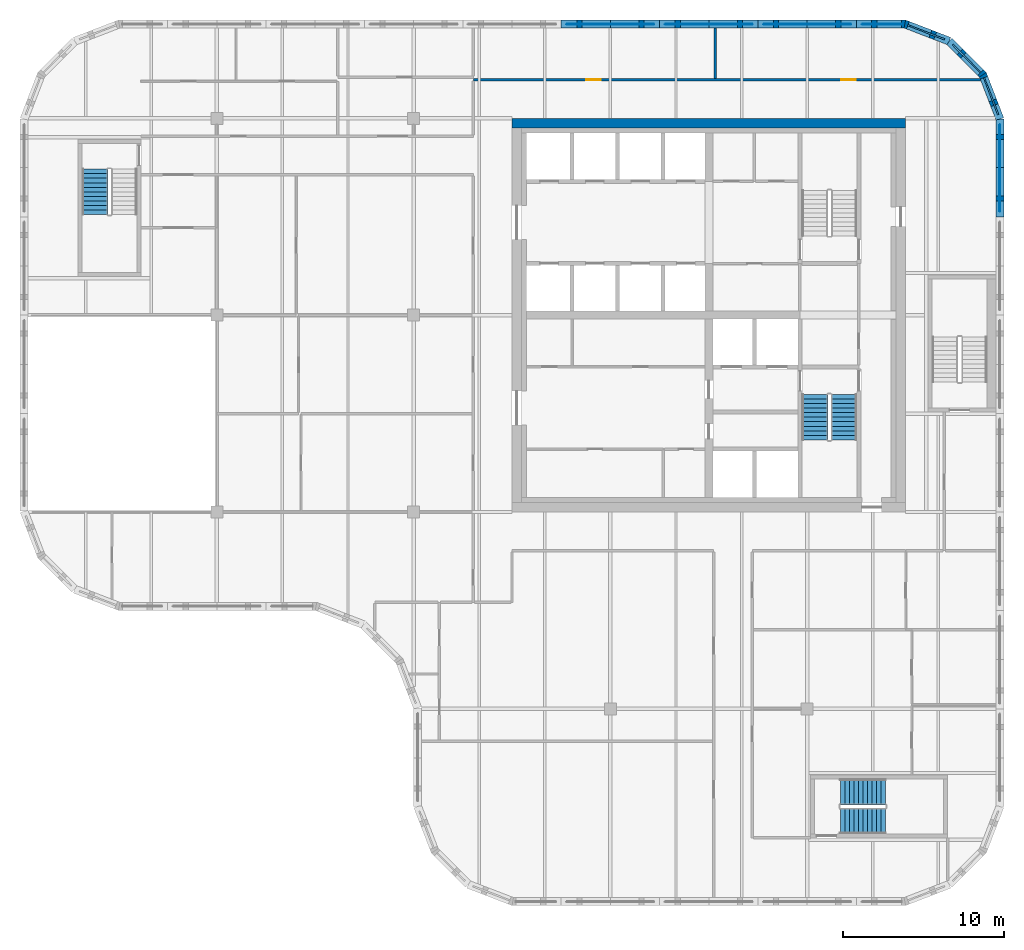
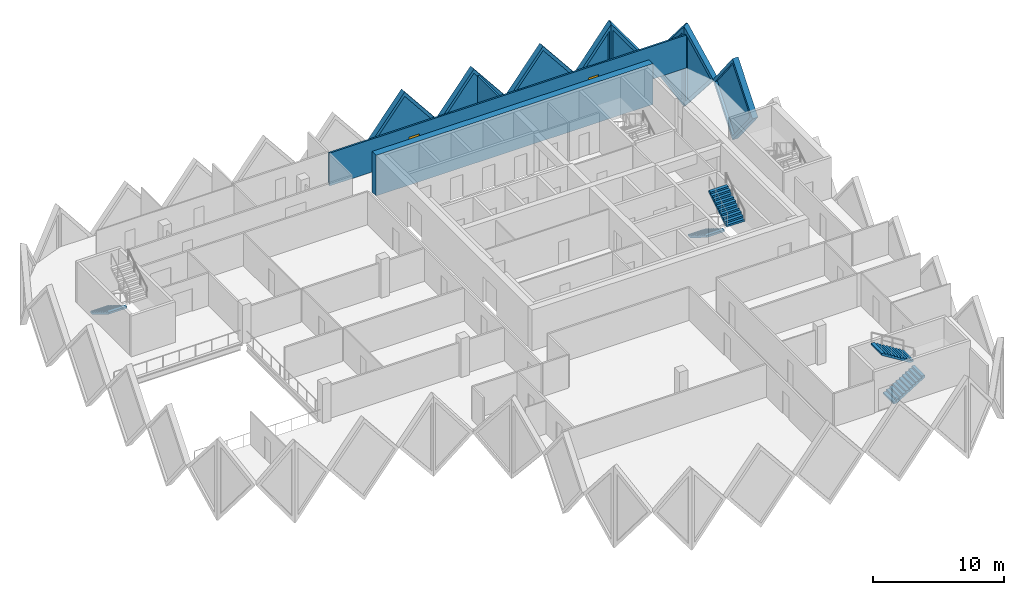
# One storey, part 10 of 12: 11 walls, 8 plates, 5 stair flights, 2 doors, 10 openings, 3 elements without a shape of their own.
"""IFC4 building model written with IfcOpenShell, lengths in metres."""

from ifc_helpers import new_model, si_unit, direction, frame, frame_2d, origin, place, context, subcontext, project, spatial, polyline, rectangle, outline, extrude, faceted_brep, source, transform, mapped, material, layer, layer_set, type_object, element, fill, aggregate, save


model = new_model("IFC4")

# Units and contexts
model_context = context("Model", 3, precision=1e-05, world=origin(), true_north=direction((0.0, 1.0)))
body_context = subcontext(model_context, "Body", "Model", "MODEL_VIEW")
ifc_project = project(units=[si_unit("LENGTHUNIT", "METRE"), si_unit("AREAUNIT", "SQUARE_METRE"), si_unit("VOLUMEUNIT", "CUBIC_METRE"), si_unit("PLANEANGLEUNIT", "RADIAN"), si_unit("MASSUNIT", "GRAM", prefix="KILO")], contexts=[model_context])

# Site, building, storey
site_placement = place(None, origin())
site = spatial("IfcSite", under=ifc_project, at=site_placement, CompositionType="ELEMENT")
building_placement = place(site_placement, origin())
building = spatial("IfcBuilding", under=site, at=building_placement, Name="Tessera Gate Towers", CompositionType="ELEMENT")
storey_placement = place(building_placement, frame((0.0, 0.0, 185.800048828125)))
storey = spatial("IfcBuildingStorey", under=building, at=storey_placement, Name="L46", CompositionType="ELEMENT", Elevation=185.800048828125)

# Wall
ifc_material_1 = material(Name="Concrete C50/60", Category="concrete")
ifc_layer_1 = layer(ifc_material_1, 0.60009765625)
ifc_layer_set_1 = layer_set([ifc_layer_1], Name="CORE SHEAR WALL 600 C50/60")
wall_type_1 = type_object("IfcWallType", Name="CORE SHEAR WALL 600 C50/60", PredefinedType="SHEAR", material=ifc_layer_set_1)
wall_1_placement = place(storey_placement, frame((30.5, 48.5, 0.0), z_axis=(0.0, 0.0, 1.0), x_axis=(1.0, 0.0, 0.0)))
element("IfcWall", 1, at=wall_1_placement, inside=storey, type_object=wall_type_1, Name="Core wall N L46", PredefinedType="SHEAR", context=body_context, shape_type="SweptSolid", body=[
    extrude(rectangle(XDim=24.39990234375, YDim=0.60009765625, at=frame_2d((12.199951171875, 0.0))), origin(), (0.0, 0.0, 1.0), 3.800048828125),
])

# Wall, openings, doors
ifc_material_2 = material(Name="Gypsum board on steel studs, mineral wool", Category="steel")
ifc_layer_2 = layer(ifc_material_2, 0.14990234375)
ifc_layer_set_2 = layer_set([ifc_layer_2], Name="CORRIDOR WALL 150")
wall_type_2 = type_object("IfcWallType", Name="CORRIDOR WALL 150", PredefinedType="PARTITIONING", material=ifc_layer_set_2)
wall_2_placement = place(storey_placement, frame((28.10009765625, 51.199951171875, 0.0), z_axis=(0.0, 0.0, 1.0), x_axis=(1.0, 0.0, 0.0)))
wall_2 = element("IfcWall", 2, at=wall_2_placement, inside=storey, type_object=wall_type_2, Name="T1-L46-PW-049", PredefinedType="PARTITIONING", context=body_context, shape_type="SweptSolid", body=[
    extrude(rectangle(XDim=31.438232421875, YDim=0.14990234375, at=frame_2d((15.71923828125, 0.0))), origin(), (0.0, 0.0, 1.0), 3.06689453125),
])
shared_shape_1 = source(origin(), body_context, "Body", "SweptSolid", [
    extrude(rectangle(XDim=0.89990234375, YDim=2.10009765625, at=frame_2d((0.449951171875, 1.050048828125))), frame((0.0, 0.0849609375, 0.0), z_axis=(0.0, -1.0, 0.0), x_axis=(1.0, 0.0, 0.0)), (0.0, 0.0, 1.0), 0.169921875),
])
opening_1_placement = place(wall_2_placement, frame((7.0, 0.0, 0.0)))
opening_1 = element("IfcOpeningElement", 3, at=opening_1_placement, cuts=wall_2, Name="Opening D890FD60-A17-08", PredefinedType="OPENING", context=body_context, shape_type="MappedRepresentation", body=[
    mapped(shared_shape_1, transform((0.0, 0.0, 0.0), scale=1.0)),
])
opening_2_placement = place(wall_2_placement, frame((22.800048828125, 0.0, 0.0)))
opening_2 = element("IfcOpeningElement", 4, at=opening_2_placement, cuts=wall_2, Name="Opening D890FD60-A17-09", PredefinedType="OPENING", context=body_context, shape_type="MappedRepresentation", body=[
    mapped(shared_shape_1, transform((0.0, 0.0, 0.0), scale=1.0)),
])
ifc_material_3 = material(Name="Timber door leaf in steel frame", Category="steel")
door_type = type_object("IfcDoorType", Name="CORRIDOR DOOR 900 FD60", OperationType="NOTDEFINED", PredefinedType="DOOR", material=ifc_material_3)
shared_shape_2 = source(origin(), body_context, "Body", "SweptSolid", [
    extrude(rectangle(XDim=0.89990234375, YDim=2.10009765625, at=frame_2d((0.449951171875, 1.050048828125))), frame((0.0, 0.02490234375, 0.0), z_axis=(0.0, -1.0, 0.0), x_axis=(1.0, 0.0, 0.0)), (0.0, 0.0, 1.0), 0.050048828125),
])
door_1_placement = place(opening_1_placement, origin())
door_1 = element("IfcDoor", 5, at=door_1_placement, inside=storey, type_object=door_type, Name="T1-L46-PD-026", OperationType="SINGLE_SWING_LEFT", OverallHeight=2.10009765625, OverallWidth=0.89990234375, PredefinedType="DOOR", context=body_context, shape_type="MappedRepresentation", body=[
    mapped(shared_shape_2, transform((0.0, 0.0, 0.0), scale=1.0)),
])
fill(opening_1, door_1)
door_2_placement = place(opening_2_placement, origin())
door_2 = element("IfcDoor", 6, at=door_2_placement, inside=storey, type_object=door_type, Name="T1-L46-PD-027", OperationType="SINGLE_SWING_LEFT", OverallHeight=2.10009765625, OverallWidth=0.89990234375, PredefinedType="DOOR", context=body_context, shape_type="MappedRepresentation", body=[
    mapped(shared_shape_2, transform((0.0, 0.0, 0.0), scale=1.0)),
])
fill(opening_2, door_2)

# Wall
ifc_material_4 = material(Name="Gypsum board on steel studs, mineral wool", Category="steel")
ifc_layer_3 = layer(ifc_material_4, 0.14990234375)
ifc_layer_set_3 = layer_set([ifc_layer_3], Name="TENANCY WALL 150")
wall_type_3 = type_object("IfcWallType", Name="TENANCY WALL 150", PredefinedType="PARTITIONING", material=ifc_layer_set_3)
wall_3_placement = place(storey_placement, frame((43.10009765625, 51.27587890625, 0.0), z_axis=(0.0, 0.0, 1.0), x_axis=(0.0, 1.0, 0.0)))
element("IfcWall", 7, at=wall_3_placement, inside=storey, type_object=wall_type_3, Name="T1-L46-PW-050", PredefinedType="PARTITIONING", context=body_context, shape_type="SweptSolid", body=[
    extrude(rectangle(XDim=3.1240234375, YDim=0.14990234375, at=frame_2d((1.56201171875, 0.0))), origin(), (0.0, 0.0, 1.0), 3.06689453125),
])

# Wall, opening, plate
ifc_material_5 = material(Name="Precast concrete C60/75 white", Category="concrete")
ifc_layer_4 = layer(ifc_material_5, 0.5)
ifc_layer_set_4 = layer_set([ifc_layer_4], Name="TS1 tessera")
wall_type_4 = type_object("IfcWallType", Name="TS1 tessera", PredefinedType="SOLIDWALL", material=ifc_layer_set_4)
shared_shape_3 = source(origin(), body_context, "Body", "Brep", [
    faceted_brep([(3.050048828125, -0.25, 0.0), (6.099853515625, -0.25, 3.7998046875), (6.099853515625, -0.25, 3.80029296875), (3.050048828125, -0.25, 7.60009765625), (0.0, -0.25, 3.800048828125), (0.0, 0.25, 3.800048828125), (3.050048828125, 0.25, 7.60009765625), (6.099853515625, 0.25, 3.80029296875), (6.099853515625, 0.25, 3.7998046875), (3.050048828125, 0.25, 0.0)], [[[0, 1, 2, 3, 4]], [[5, 6, 7, 8, 9]], [[9, 8, 1, 0]], [[7, 6, 3, 2]], [[6, 5, 4, 3]], [[5, 9, 0, 4]], [[1, 8, 7, 2]]]),
])
wall_4_placement = place(storey_placement, frame((39.64990234375, 54.64990234375, -3.800048828125), z_axis=(0.0, 0.0, 1.0), x_axis=(-1.0, 0.0, 0.0)))
wall_4 = element("IfcWall", 8, at=wall_4_placement, inside=storey, type_object=wall_type_4, Name="Precast tessera T1 TS1-0817", PredefinedType="SOLIDWALL", context=body_context, shape_type="MappedRepresentation", body=[
    mapped(shared_shape_3, transform((0.0, 0.0, 0.0), scale=1.0)),
])
shared_shape_4 = source(origin(), body_context, "Body", "SweptSolid", [
    extrude(outline(polyline([(3.050048828125, 0.3994140625), (5.779541015625, 3.800048828125), (3.050048828125, 7.20068359375), (0.320556640625, 3.800048828125), (3.050048828125, 0.3994140625)])), frame((0.0, 0.260009765625, 0.0), z_axis=(0.0, -1.0, 0.0), x_axis=(1.0, 0.0, 0.0)), (0.0, 0.0, 1.0), 0.52001953125),
])
opening_3_placement = place(wall_4_placement, origin())
opening_3 = element("IfcOpeningElement", 9, at=opening_3_placement, cuts=wall_4, Name="Opening T1-PL2-1667", PredefinedType="OPENING", context=body_context, shape_type="MappedRepresentation", body=[
    mapped(shared_shape_4, transform((0.0, 0.0, 0.0), scale=1.0)),
])
ifc_material_6 = material(Name="Low-e laminated glass", Category="glass")
ifc_layer_5 = layer(ifc_material_6, 0.06005859375)
ifc_layer_set_5 = layer_set([ifc_layer_5], Name="PL2 rhombic pane")
plate_type = type_object("IfcPlateType", Name="PL2 rhombic pane", PredefinedType="SHEET", material=ifc_layer_set_5)
shared_shape_5 = source(origin(), body_context, "Body", "SweptSolid", [
    extrude(outline(polyline([(3.050048828125, 0.3994140625), (5.779541015625, 3.800048828125), (3.050048828125, 7.20068359375), (0.320556640625, 3.800048828125), (3.050048828125, 0.3994140625)])), frame((0.0, 0.030029296875, 0.0), z_axis=(0.0, -1.0, 0.0), x_axis=(1.0, 0.0, 0.0)), (0.0, 0.0, 1.0), 0.06005859375),
])
plate_1_placement = place(opening_3_placement, origin())
plate_1 = element("IfcPlate", 10, at=plate_1_placement, inside=storey, type_object=plate_type, Name="Glass pane T1 PL2-1667", PredefinedType="SHEET", context=body_context, shape_type="MappedRepresentation", body=[
    mapped(shared_shape_5, transform((0.0, 0.0, 0.0), scale=1.0)),
])
fill(opening_3, plate_1)

shared_shape_6 = source(origin(), body_context, "Body", "SweptSolid", [
    extrude(outline(polyline([(3.050048828125, 0.0), (6.10009765625, 3.800048828125), (3.050048828125, 7.60009765625), (0.0, 3.800048828125), (3.050048828125, 0.0)])), frame((0.0, 0.25, 0.0), z_axis=(0.0, -1.0, 0.0), x_axis=(1.0, 0.0, 0.0)), (0.0, 0.0, 1.0), 0.5),
])
wall_5_placement = place(storey_placement, frame((51.85009765625, 54.64990234375, -3.800048828125), z_axis=(0.0, 0.0, 1.0), x_axis=(-1.0, 0.0, 0.0)))
wall_5 = element("IfcWall", 11, at=wall_5_placement, inside=storey, type_object=wall_type_4, Name="Precast tessera T1 TS1-0815", PredefinedType="SOLIDWALL", context=body_context, shape_type="MappedRepresentation", body=[
    mapped(shared_shape_6, transform((0.0, 0.0, 0.0), scale=1.0)),
])
opening_4_placement = place(wall_5_placement, origin())
opening_4 = element("IfcOpeningElement", 12, at=opening_4_placement, cuts=wall_5, Name="Opening T1-PL2-1665", PredefinedType="OPENING", context=body_context, shape_type="MappedRepresentation", body=[
    mapped(shared_shape_4, transform((0.0, 0.0, 0.0), scale=1.0)),
])
plate_2_placement = place(opening_4_placement, origin())
plate_2 = element("IfcPlate", 13, at=plate_2_placement, inside=storey, type_object=plate_type, Name="Glass pane T1 PL2-1665", PredefinedType="SHEET", context=body_context, shape_type="MappedRepresentation", body=[
    mapped(shared_shape_5, transform((0.0, 0.0, 0.0), scale=1.0)),
])
fill(opening_4, plate_2)

wall_6_placement = place(storey_placement, frame((45.75, 54.64990234375, -3.800048828125), z_axis=(0.0, 0.0, 1.0), x_axis=(-1.0, 0.0, 0.0)))
wall_6 = element("IfcWall", 14, at=wall_6_placement, inside=storey, type_object=wall_type_4, Name="Precast tessera T1 TS1-0816", PredefinedType="SOLIDWALL", context=body_context, shape_type="MappedRepresentation", body=[
    mapped(shared_shape_6, transform((0.0, 0.0, 0.0), scale=1.0)),
])
opening_5_placement = place(wall_6_placement, origin())
opening_5 = element("IfcOpeningElement", 15, at=opening_5_placement, cuts=wall_6, Name="Opening T1-PL2-1666", PredefinedType="OPENING", context=body_context, shape_type="MappedRepresentation", body=[
    mapped(shared_shape_4, transform((0.0, 0.0, 0.0), scale=1.0)),
])
plate_3_placement = place(opening_5_placement, origin())
plate_3 = element("IfcPlate", 16, at=plate_3_placement, inside=storey, type_object=plate_type, Name="Glass pane T1 PL2-1666", PredefinedType="SHEET", context=body_context, shape_type="MappedRepresentation", body=[
    mapped(shared_shape_5, transform((0.0, 0.0, 0.0), scale=1.0)),
])
fill(opening_5, plate_3)

shared_shape_7 = source(origin(), body_context, "Body", "Brep", [
    faceted_brep([(3.050048828125, -0.25, 0.0), (6.053466796875, -0.25, 3.800048828125), (3.050048828125, -0.25, 7.60009765625), (0.0, -0.25, 3.800048828125), (0.0, 0.25, 3.800048828125), (3.050048828125, 0.25, 7.60009765625), (6.0068359375, 0.25, 3.85888671875), (6.0068359375, 0.25, 3.7412109375), (3.050048828125, 0.25, 0.0), (6.053466796875, 0.0, 3.800048828125)], [[[0, 1, 2, 3]], [[4, 5, 6, 7, 8]], [[8, 7, 9, 1, 0]], [[6, 5, 2, 1, 9]], [[5, 4, 3, 2]], [[4, 8, 0, 3]], [[9, 7, 6]]]),
])
wall_7_placement = place(storey_placement, frame((60.75, 42.699951171875, -3.800048828125), z_axis=(0.0, 0.0, 1.0), x_axis=(0.0, 1.0, 0.0)))
wall_7 = element("IfcWall", 17, at=wall_7_placement, inside=storey, type_object=wall_type_4, Name="Precast tessera T1 TS1-0814", PredefinedType="SOLIDWALL", context=body_context, shape_type="MappedRepresentation", body=[
    mapped(shared_shape_7, transform((0.0, 0.0, 0.0), scale=1.0)),
])
shared_shape_8 = source(origin(), body_context, "Body", "SweptSolid", [
    extrude(outline(polyline([(3.048583984375, 0.4013671875), (5.73486328125, 3.800048828125), (3.048583984375, 7.19873046875), (0.320556640625, 3.800048828125), (3.048583984375, 0.4013671875)])), frame((0.0, 0.260009765625, 0.0), z_axis=(0.0, -1.0, 0.0), x_axis=(1.0, 0.0, 0.0)), (0.0, 0.0, 1.0), 0.52001953125),
])
opening_6_placement = place(wall_7_placement, origin())
opening_6 = element("IfcOpeningElement", 18, at=opening_6_placement, cuts=wall_7, Name="Opening T1-PL2-1660", PredefinedType="OPENING", context=body_context, shape_type="MappedRepresentation", body=[
    mapped(shared_shape_8, transform((0.0, 0.0, 0.0), scale=1.0)),
])
shared_shape_9 = source(origin(), body_context, "Body", "SweptSolid", [
    extrude(outline(polyline([(3.048583984375, 0.4013671875), (5.73486328125, 3.800048828125), (3.048583984375, 7.19873046875), (0.320556640625, 3.800048828125), (3.048583984375, 0.4013671875)])), frame((0.0, 0.030029296875, 0.0), z_axis=(0.0, -1.0, 0.0), x_axis=(1.0, 0.0, 0.0)), (0.0, 0.0, 1.0), 0.06005859375),
])
plate_4_placement = place(opening_6_placement, origin())
plate_4 = element("IfcPlate", 19, at=plate_4_placement, inside=storey, type_object=plate_type, Name="Glass pane T1 PL2-1660", PredefinedType="SHEET", context=body_context, shape_type="MappedRepresentation", body=[
    mapped(shared_shape_9, transform((0.0, 0.0, 0.0), scale=1.0)),
])
fill(opening_6, plate_4)

ifc_material_7 = material(Name="Precast concrete C60/75 white", Category="concrete")
ifc_layer_6 = layer(ifc_material_7, 0.5)
ifc_layer_set_6 = layer_set([ifc_layer_6], Name="TS3 corner tessera")
wall_type_5 = type_object("IfcWallType", Name="TS3 corner tessera", PredefinedType="SOLIDWALL", material=ifc_layer_set_6)
shared_shape_10 = source(origin(), body_context, "Body", "Brep", [
    faceted_brep([(2.950439453125, -0.25, 0.0), (2.9970703125, -0.25, 0.05908203125), (2.9970703125, -0.25, 7.541015625), (2.950439453125, -0.25, 7.60009765625), (0.0, -0.25, 3.800048828125), (0.052978515625, 0.25, 3.8681640625), (2.904052734375, 0.25, 7.540283203125), (2.904052734375, 0.25, 0.059814453125), (0.052978515625, 0.25, 3.73193359375), (2.950439453125, 0.00048828125, 0.0), (2.950439453125, 0.00048828125, 7.60009765625), (0.0, 0.0, 3.800048828125)], [[[0, 1, 2, 3, 4]], [[5, 6, 7, 8]], [[1, 0, 9]], [[10, 3, 2]], [[6, 5, 11, 4, 3, 10]], [[8, 7, 9, 0, 4, 11]], [[8, 11, 5]], [[1, 9, 7, 6, 10, 2]]]),
])
wall_8_placement = place(storey_placement, frame((57.606201171875, 53.588134765625, -3.800048828125), z_axis=(0.0, 0.0, 1.0), x_axis=(-0.932990326376, 0.359901446078, 0.0)))
wall_8 = element("IfcWall", 20, at=wall_8_placement, inside=storey, type_object=wall_type_5, Name="Precast corner tessera T1 TS3-1065", PredefinedType="SOLIDWALL", context=body_context, shape_type="MappedRepresentation", body=[
    mapped(shared_shape_10, transform((0.0, 0.0, 0.0), scale=1.0)),
])
shared_shape_11 = source(origin(), body_context, "Body", "SweptSolid", [
    extrude(outline(polyline([(2.75048828125, 6.934814453125), (0.31640625, 3.800048828125), (2.75048828125, 0.665283203125), (2.75048828125, 6.934814453125)])), frame((0.0, 0.260009765625, 0.0), z_axis=(0.0, -1.0, 0.0), x_axis=(1.0, 0.0, 0.0)), (0.0, 0.0, 1.0), 0.52001953125),
])
opening_7_placement = place(wall_8_placement, origin())
opening_7 = element("IfcOpeningElement", 21, at=opening_7_placement, cuts=wall_8, Name="Opening T1-PL2-1663", PredefinedType="OPENING", context=body_context, shape_type="MappedRepresentation", body=[
    mapped(shared_shape_11, transform((0.0, 0.0, 0.0), scale=1.0)),
])
shared_shape_12 = source(origin(), body_context, "Body", "SweptSolid", [
    extrude(outline(polyline([(2.75048828125, 6.934814453125), (0.31640625, 3.800048828125), (2.75048828125, 0.665283203125), (2.75048828125, 6.934814453125)])), frame((0.0, 0.030029296875, 0.0), z_axis=(0.0, -1.0, 0.0), x_axis=(1.0, 0.0, 0.0)), (0.0, 0.0, 1.0), 0.06005859375),
])
plate_5_placement = place(opening_7_placement, origin())
plate_5 = element("IfcPlate", 22, at=plate_5_placement, inside=storey, type_object=plate_type, Name="Glass pane T1 PL2-1663", PredefinedType="SHEET", context=body_context, shape_type="MappedRepresentation", body=[
    mapped(shared_shape_12, transform((0.0, 0.0, 0.0), scale=1.0)),
])
fill(opening_7, plate_5)

shared_shape_13 = source(origin(), body_context, "Body", "Brep", [
    faceted_brep([(0.046630859375, -0.25, 0.0), (3.050048828125, -0.25, 3.800048828125), (0.046630859375, -0.25, 7.60009765625), (0.0, -0.25, 7.5400390625), (0.0, -0.25, 0.06005859375), (0.09326171875, 0.25, 7.541259765625), (3.050048828125, 0.25, 3.800048828125), (0.09326171875, 0.25, 0.058837890625), (0.046630859375, 0.0, 0.0), (0.046630859375, 0.0, 7.60009765625)], [[[0, 1, 2, 3, 4]], [[5, 6, 7]], [[7, 6, 1, 0, 8]], [[6, 5, 9, 2, 1]], [[3, 2, 9]], [[8, 0, 4]], [[7, 8, 4, 3, 9, 5]]]),
])
wall_9_placement = place(storey_placement, frame((54.900146484375, 54.64990234375, -3.800048828125), z_axis=(0.0, 0.0, 1.0), x_axis=(-1.0, 0.0, 0.0)))
wall_9 = element("IfcWall", 23, at=wall_9_placement, inside=storey, type_object=wall_type_5, Name="Precast corner tessera T1 TS3-1066", PredefinedType="SOLIDWALL", context=body_context, shape_type="MappedRepresentation", body=[
    mapped(shared_shape_13, transform((0.0, 0.0, 0.0), scale=1.0)),
])
shared_shape_14 = source(origin(), body_context, "Body", "SweptSolid", [
    extrude(outline(polyline([(0.24658203125, 0.65625), (2.7314453125, 3.800048828125), (0.24658203125, 6.94384765625), (0.24658203125, 0.65625)])), frame((0.0, 0.260009765625, 0.0), z_axis=(0.0, -1.0, 0.0), x_axis=(1.0, 0.0, 0.0)), (0.0, 0.0, 1.0), 0.52001953125),
])
opening_8_placement = place(wall_9_placement, origin())
opening_8 = element("IfcOpeningElement", 24, at=opening_8_placement, cuts=wall_9, Name="Opening T1-PL2-1664", PredefinedType="OPENING", context=body_context, shape_type="MappedRepresentation", body=[
    mapped(shared_shape_14, transform((0.0, 0.0, 0.0), scale=1.0)),
])
shared_shape_15 = source(origin(), body_context, "Body", "SweptSolid", [
    extrude(outline(polyline([(0.24658203125, 0.65625), (2.7314453125, 3.800048828125), (0.24658203125, 6.94384765625), (0.24658203125, 0.65625)])), frame((0.0, 0.030029296875, 0.0), z_axis=(0.0, -1.0, 0.0), x_axis=(1.0, 0.0, 0.0)), (0.0, 0.0, 1.0), 0.06005859375),
])
plate_6_placement = place(opening_8_placement, origin())
plate_6 = element("IfcPlate", 25, at=plate_6_placement, inside=storey, type_object=plate_type, Name="Glass pane T1 PL2-1664", PredefinedType="SHEET", context=body_context, shape_type="MappedRepresentation", body=[
    mapped(shared_shape_15, transform((0.0, 0.0, 0.0), scale=1.0)),
])
fill(opening_8, plate_6)

shared_shape_16 = source(origin(), body_context, "Body", "Brep", [
    faceted_brep([(2.950439453125, -0.25, 0.0), (3.00341796875, -0.25, 0.068359375), (3.00341796875, -0.25, 7.53173828125), (2.950439453125, -0.25, 7.60009765625), (0.0, -0.25, 3.800048828125), (0.046630859375, 0.25, 3.860107421875), (2.897705078125, 0.25, 7.531982421875), (2.897705078125, 0.25, 0.068115234375), (0.046630859375, 0.25, 3.739990234375), (2.950439453125, 0.00048828125, 0.0), (2.950439453125, 0.00048828125, 7.60009765625), (0.0, 0.0, 3.800048828125)], [[[0, 1, 2, 3, 4]], [[5, 6, 7, 8]], [[1, 0, 9]], [[10, 3, 2]], [[6, 5, 11, 4, 3, 10]], [[8, 7, 9, 0, 4, 11]], [[8, 11, 5]], [[1, 9, 7, 6, 10, 2]]]),
])
wall_10_placement = place(storey_placement, frame((60.75, 48.75341796875, -3.800048828125), z_axis=(0.0, 0.0, 1.0), x_axis=(-0.35992665181, 0.932980602862, 0.0)))
wall_10 = element("IfcWall", 26, at=wall_10_placement, inside=storey, type_object=wall_type_5, Name="Precast corner tessera T1 TS3-1063", PredefinedType="SOLIDWALL", context=body_context, shape_type="MappedRepresentation", body=[
    mapped(shared_shape_16, transform((0.0, 0.0, 0.0), scale=1.0)),
])
opening_9_placement = place(wall_10_placement, origin())
opening_9 = element("IfcOpeningElement", 27, at=opening_9_placement, cuts=wall_10, Name="Opening T1-PL2-1661", PredefinedType="OPENING", context=body_context, shape_type="MappedRepresentation", body=[
    mapped(shared_shape_11, transform((0.0, 0.0, 0.0), scale=1.0)),
])
plate_7_placement = place(opening_9_placement, origin())
plate_7 = element("IfcPlate", 28, at=plate_7_placement, inside=storey, type_object=plate_type, Name="Glass pane T1 PL2-1661", PredefinedType="SHEET", context=body_context, shape_type="MappedRepresentation", body=[
    mapped(shared_shape_12, transform((0.0, 0.0, 0.0), scale=1.0)),
])
fill(opening_9, plate_7)

shared_shape_17 = source(origin(), body_context, "Body", "Brep", [
    faceted_brep([(0.052978515625, -0.25, 0.0), (2.9970703125, -0.25, 3.800048828125), (0.052978515625, -0.25, 7.60009765625), (0.0, -0.25, 7.531982421875), (0.0, -0.25, 0.068115234375), (0.10595703125, 0.25, 7.53173828125), (2.944091796875, 0.25, 3.8681640625), (2.944091796875, 0.25, 3.73193359375), (0.10595703125, 0.25, 0.068359375), (2.9970703125, 0.000244140625, 3.800048828125), (0.052978515625, 0.0, 0.0), (0.052978515625, 0.0, 7.60009765625)], [[[0, 1, 2, 3, 4]], [[5, 6, 7, 8]], [[8, 7, 9, 1, 0, 10]], [[6, 5, 11, 2, 1, 9]], [[3, 2, 11]], [[10, 0, 4]], [[8, 10, 4, 3, 11, 5]], [[9, 7, 6]]]),
])
wall_11_placement = place(storey_placement, frame((59.7255859375, 51.46875, -3.800048828125), z_axis=(0.0, 0.0, 1.0), x_axis=(-0.707106781187, 0.707106781187, 0.0)))
wall_11 = element("IfcWall", 29, at=wall_11_placement, inside=storey, type_object=wall_type_5, Name="Precast corner tessera T1 TS3-1064", PredefinedType="SOLIDWALL", context=body_context, shape_type="MappedRepresentation", body=[
    mapped(shared_shape_17, transform((0.0, 0.0, 0.0), scale=1.0)),
])
shared_shape_18 = source(origin(), body_context, "Body", "SweptSolid", [
    extrude(outline(polyline([(0.2529296875, 0.666259765625), (2.680908203125, 3.800048828125), (0.2529296875, 6.93359375), (0.2529296875, 0.666259765625)])), frame((0.0, 0.260009765625, 0.0), z_axis=(0.0, -1.0, 0.0), x_axis=(1.0, 0.0, 0.0)), (0.0, 0.0, 1.0), 0.52001953125),
])
opening_10_placement = place(wall_11_placement, origin())
opening_10 = element("IfcOpeningElement", 30, at=opening_10_placement, cuts=wall_11, Name="Opening T1-PL2-1662", PredefinedType="OPENING", context=body_context, shape_type="MappedRepresentation", body=[
    mapped(shared_shape_18, transform((0.0, 0.0, 0.0), scale=1.0)),
])
shared_shape_19 = source(origin(), body_context, "Body", "SweptSolid", [
    extrude(outline(polyline([(0.2529296875, 0.666259765625), (2.680908203125, 3.800048828125), (0.2529296875, 6.93359375), (0.2529296875, 0.666259765625)])), frame((0.0, 0.030029296875, 0.0), z_axis=(0.0, -1.0, 0.0), x_axis=(1.0, 0.0, 0.0)), (0.0, 0.0, 1.0), 0.06005859375),
])
plate_8_placement = place(opening_10_placement, origin())
plate_8 = element("IfcPlate", 31, at=plate_8_placement, inside=storey, type_object=plate_type, Name="Glass pane T1 PL2-1662", PredefinedType="SHEET", context=body_context, shape_type="MappedRepresentation", body=[
    mapped(shared_shape_19, transform((0.0, 0.0, 0.0), scale=1.0)),
])
fill(opening_10, plate_8)

# Stair, stair flights
ifc_material_8 = material(Name="Concrete C40/50", Category="concrete")
stair_type_1 = type_object("IfcStairType", Name="EXIT STAIR ST1 1600", PredefinedType="HALF_TURN_STAIR", material=ifc_material_8)
stair_1_placement = place(storey_placement, origin())
stair_1 = element("IfcStair", 32, at=stair_1_placement, inside=storey, type_object=stair_type_1, Name="L46 Protected Exit Stair ST1", PredefinedType="HALF_TURN_STAIR")
ifc_material_9 = material(Name="Concrete C40/50", Category="concrete")
stair_flight_type_1 = type_object("IfcStairFlightType", Name="EXIT STAIR FLIGHT ST1 1600", PredefinedType="STRAIGHT", material=ifc_material_9)
stair_flight_1_placement = place(storey_placement, frame((49.27490234375, 31.675048828125, 0.0), z_axis=(0.0, 0.0, 1.0), x_axis=(0.0, -1.0, 0.0)))
stair_flight_1 = element("IfcStairFlight", 33, at=stair_flight_1_placement, type_object=stair_flight_type_1, Name="ST1 flight 1", NumberOfRisers=11, NumberOfTreads=10, PredefinedType="STRAIGHT", RiserHeight=0.172727273, TreadLength=0.28, context=body_context, shape_type="SweptSolid", body=[
    extrude(outline(polyline([(0.0, 0.0), (0.0, 0.172607421875), (0.280029296875, 0.172607421875), (0.280029296875, 0.345458984375), (0.56005859375, 0.345458984375), (0.56005859375, 0.51806640625), (0.840087890625, 0.51806640625), (0.840087890625, 0.69091796875), (1.1201171875, 0.69091796875), (1.1201171875, 0.863525390625), (1.39990234375, 0.863525390625), (1.39990234375, 1.036376953125), (1.679931640625, 1.036376953125), (1.679931640625, 1.208984375), (1.9599609375, 1.208984375), (1.9599609375, 1.3818359375), (2.239990234375, 1.3818359375), (2.239990234375, 1.554443359375), (2.52001953125, 1.554443359375), (2.52001953125, 1.727294921875), (2.800048828125, 1.727294921875), (2.800048828125, 1.89990234375), (2.800048828125, 1.551025390625), (0.285400390625, 0.0), (0.0, 0.0)])), frame((0.0, 0.800048828125, 0.0), z_axis=(0.0, -1.0, 0.0), x_axis=(1.0, 0.0, 0.0)), (0.0, 0.0, 1.0), 1.60009765625),
])
stair_flight_2_placement = place(storey_placement, frame((51.074951171875, 28.875, 1.89990234375), z_axis=(0.0, 0.0, 1.0), x_axis=(0.0, 1.0, 0.0)))
stair_flight_2 = element("IfcStairFlight", 34, at=stair_flight_2_placement, type_object=stair_flight_type_1, Name="ST1 flight 2", NumberOfRisers=11, NumberOfTreads=10, PredefinedType="STRAIGHT", RiserHeight=0.172727273, TreadLength=0.28, context=body_context, shape_type="SweptSolid", body=[
    extrude(outline(polyline([(0.0, 0.0), (0.0, 0.172607421875), (0.280029296875, 0.172607421875), (0.280029296875, 0.345458984375), (0.56005859375, 0.345458984375), (0.56005859375, 0.51806640625), (0.840087890625, 0.51806640625), (0.840087890625, 0.69091796875), (1.1201171875, 0.69091796875), (1.1201171875, 0.863525390625), (1.39990234375, 0.863525390625), (1.39990234375, 1.036376953125), (1.679931640625, 1.036376953125), (1.679931640625, 1.208984375), (1.9599609375, 1.208984375), (1.9599609375, 1.3818359375), (2.239990234375, 1.3818359375), (2.239990234375, 1.554443359375), (2.52001953125, 1.554443359375), (2.52001953125, 1.727294921875), (2.800048828125, 1.727294921875), (2.800048828125, 1.89990234375), (2.800048828125, 1.551025390625), (0.285400390625, 0.0), (0.0, 0.0)])), frame((0.0, 0.800048828125, 0.0), z_axis=(0.0, -1.0, 0.0), x_axis=(1.0, 0.0, 0.0)), (0.0, 0.0, 1.0), 1.60009765625),
])
aggregate(stair_1, [stair_flight_1, stair_flight_2])

# Stair, stair flight
ifc_material_10 = material(Name="Concrete C40/50", Category="concrete")
stair_type_2 = type_object("IfcStairType", Name="EXIT STAIR ST3 1600", PredefinedType="HALF_TURN_STAIR", material=ifc_material_10)
stair_2_placement = place(storey_placement, origin())
stair_2 = element("IfcStair", 35, at=stair_2_placement, inside=storey, type_object=stair_type_2, Name="L46 West Exit Stair ST3", PredefinedType="HALF_TURN_STAIR")
ifc_material_11 = material(Name="Concrete C40/50", Category="concrete")
stair_flight_type_2 = type_object("IfcStairFlightType", Name="EXIT STAIR FLIGHT ST3 1600", PredefinedType="STRAIGHT", material=ifc_material_11)
stair_flight_3_placement = place(storey_placement, frame((4.64990234375, 45.64990234375, 0.0), z_axis=(0.0, 0.0, 1.0), x_axis=(0.0, -1.0, 0.0)))
stair_flight_3 = element("IfcStairFlight", 36, at=stair_flight_3_placement, type_object=stair_flight_type_2, Name="ST3 flight 1", NumberOfRisers=11, NumberOfTreads=10, PredefinedType="STRAIGHT", RiserHeight=0.172727273, TreadLength=0.28, context=body_context, shape_type="SweptSolid", body=[
    extrude(outline(polyline([(0.0, 0.0), (0.0, 0.172607421875), (0.280029296875, 0.172607421875), (0.280029296875, 0.345458984375), (0.56005859375, 0.345458984375), (0.56005859375, 0.51806640625), (0.840087890625, 0.51806640625), (0.840087890625, 0.69091796875), (1.1201171875, 0.69091796875), (1.1201171875, 0.863525390625), (1.39990234375, 0.863525390625), (1.39990234375, 1.036376953125), (1.679931640625, 1.036376953125), (1.679931640625, 1.208984375), (1.9599609375, 1.208984375), (1.9599609375, 1.3818359375), (2.239990234375, 1.3818359375), (2.239990234375, 1.554443359375), (2.52001953125, 1.554443359375), (2.52001953125, 1.727294921875), (2.800048828125, 1.727294921875), (2.800048828125, 1.89990234375), (2.800048828125, 1.551025390625), (0.285400390625, 0.0), (0.0, 0.0)])), frame((0.0, 0.800048828125, 0.0), z_axis=(0.0, -1.0, 0.0), x_axis=(1.0, 0.0, 0.0)), (0.0, 0.0, 1.0), 1.60009765625),
])
aggregate(stair_2, [stair_flight_3])

# Stair, stair flights
ifc_material_12 = material(Name="Concrete C40/50", Category="concrete")
stair_type_3 = type_object("IfcStairType", Name="EXIT STAIR ST4 1600", PredefinedType="HALF_TURN_STAIR", material=ifc_material_12)
stair_3_placement = place(storey_placement, origin())
stair_3 = element("IfcStair", 37, at=stair_3_placement, inside=storey, type_object=stair_type_3, Name="L46 South Exit Stair ST4", PredefinedType="HALF_TURN_STAIR")
ifc_material_13 = material(Name="Concrete C40/50", Category="concrete")
stair_flight_type_3 = type_object("IfcStairFlightType", Name="EXIT STAIR FLIGHT ST4 1600", PredefinedType="STRAIGHT", material=ifc_material_13)
stair_flight_4_placement = place(storey_placement, frame((50.85009765625, 5.25, 0.0), z_axis=(0.0, 0.0, 1.0), x_axis=(1.0, 0.0, 0.0)))
stair_flight_4 = element("IfcStairFlight", 38, at=stair_flight_4_placement, type_object=stair_flight_type_3, Name="ST4 flight 1", NumberOfRisers=11, NumberOfTreads=10, PredefinedType="STRAIGHT", RiserHeight=0.172727273, TreadLength=0.28, context=body_context, shape_type="SweptSolid", body=[
    extrude(outline(polyline([(0.0, 0.0), (0.0, 0.172607421875), (0.280029296875, 0.172607421875), (0.280029296875, 0.345458984375), (0.56005859375, 0.345458984375), (0.56005859375, 0.51806640625), (0.840087890625, 0.51806640625), (0.840087890625, 0.69091796875), (1.1201171875, 0.69091796875), (1.1201171875, 0.863525390625), (1.39990234375, 0.863525390625), (1.39990234375, 1.036376953125), (1.679931640625, 1.036376953125), (1.679931640625, 1.208984375), (1.9599609375, 1.208984375), (1.9599609375, 1.3818359375), (2.239990234375, 1.3818359375), (2.239990234375, 1.554443359375), (2.52001953125, 1.554443359375), (2.52001953125, 1.727294921875), (2.800048828125, 1.727294921875), (2.800048828125, 1.89990234375), (2.800048828125, 1.551025390625), (0.285400390625, 0.0), (0.0, 0.0)])), frame((0.0, 0.800048828125, 0.0), z_axis=(0.0, -1.0, 0.0), x_axis=(1.0, 0.0, 0.0)), (0.0, 0.0, 1.0), 1.60009765625),
])
stair_flight_5_placement = place(storey_placement, frame((53.64990234375, 7.050048828125, 1.89990234375), z_axis=(0.0, 0.0, 1.0), x_axis=(-1.0, 0.0, 0.0)))
stair_flight_5 = element("IfcStairFlight", 39, at=stair_flight_5_placement, type_object=stair_flight_type_3, Name="ST4 flight 2", NumberOfRisers=11, NumberOfTreads=10, PredefinedType="STRAIGHT", RiserHeight=0.172727273, TreadLength=0.28, context=body_context, shape_type="SweptSolid", body=[
    extrude(outline(polyline([(0.0, 0.0), (0.0, 0.172607421875), (0.280029296875, 0.172607421875), (0.280029296875, 0.345458984375), (0.56005859375, 0.345458984375), (0.56005859375, 0.51806640625), (0.840087890625, 0.51806640625), (0.840087890625, 0.69091796875), (1.1201171875, 0.69091796875), (1.1201171875, 0.863525390625), (1.39990234375, 0.863525390625), (1.39990234375, 1.036376953125), (1.679931640625, 1.036376953125), (1.679931640625, 1.208984375), (1.9599609375, 1.208984375), (1.9599609375, 1.3818359375), (2.239990234375, 1.3818359375), (2.239990234375, 1.554443359375), (2.52001953125, 1.554443359375), (2.52001953125, 1.727294921875), (2.800048828125, 1.727294921875), (2.800048828125, 1.89990234375), (2.800048828125, 1.551025390625), (0.285400390625, 0.0), (0.0, 0.0)])), frame((0.0, 0.800048828125, 0.0), z_axis=(0.0, -1.0, 0.0), x_axis=(1.0, 0.0, 0.0)), (0.0, 0.0, 1.0), 1.60009765625),
])
aggregate(stair_3, [stair_flight_4, stair_flight_5])

save(model, "model.ifc")
